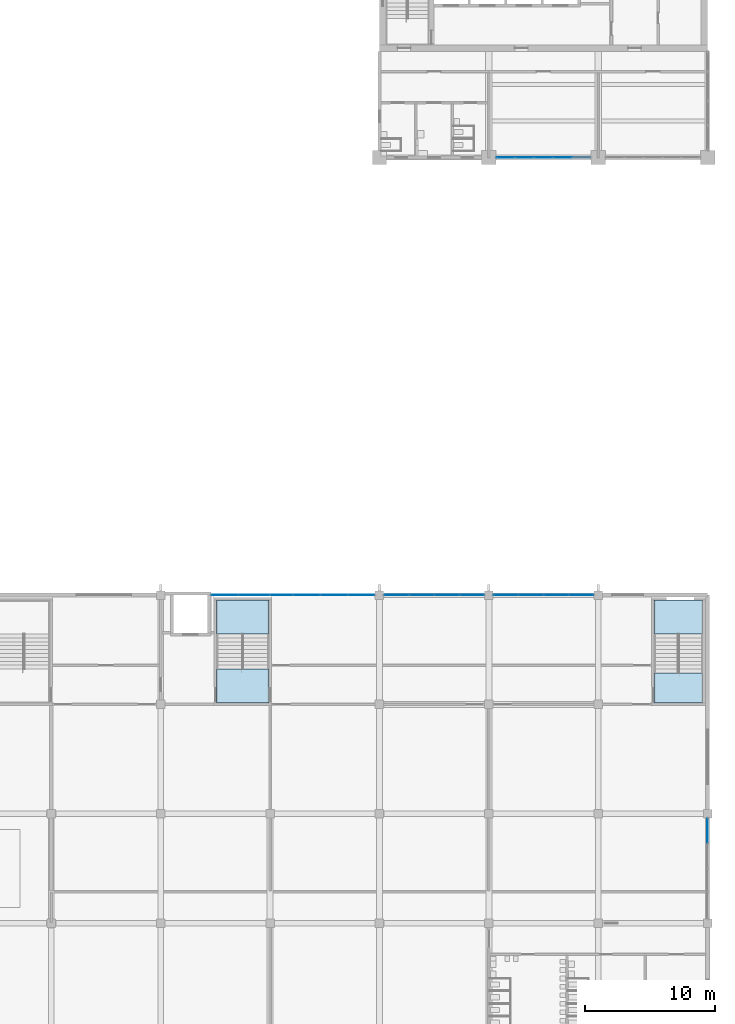
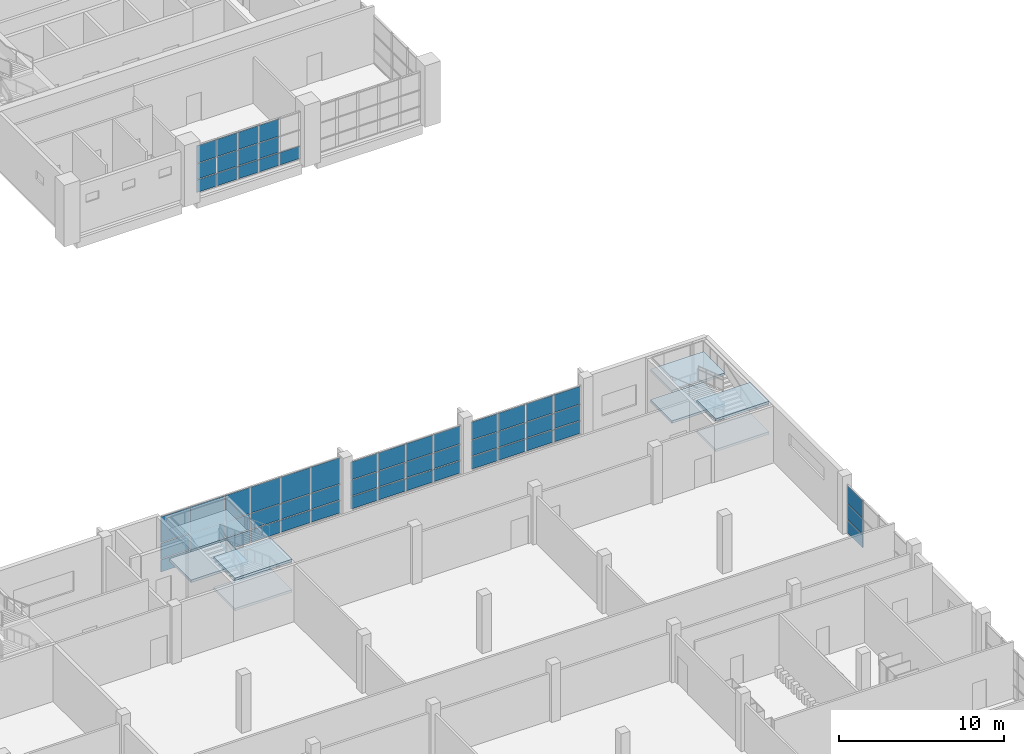
# One storey, part 19 of 64: 58 plates, 8 slabs, 7 elements without a shape of their own.
"""IFC4 building model written with IfcOpenShell, lengths in metres."""

from ifc_helpers import new_model, si_unit, direction, frame, origin, origin_2d, place, context, subcontext, project, spatial, polyline, rectangle, outline, extrude, material, layer, layer_set, type_object, element, aggregate, save


model = new_model("IFC4")

# Units and contexts
model_context = context("Model", 3, precision=1e-05, world=origin(), true_north=direction((0.0, 1.0)))
body_context = subcontext(model_context, "Body", "Model", "MODEL_VIEW")
ifc_project = project(units=[si_unit("LENGTHUNIT", "METRE"), si_unit("AREAUNIT", "SQUARE_METRE"), si_unit("VOLUMEUNIT", "CUBIC_METRE"), si_unit("PLANEANGLEUNIT", "RADIAN"), si_unit("MASSUNIT", "GRAM", prefix="KILO")], contexts=[model_context])

# Site, building, storey
site_placement = place(None, origin())
site = spatial("IfcSite", under=ifc_project, at=site_placement, CompositionType="ELEMENT")
building_placement = place(site_placement, origin())
building = spatial("IfcBuilding", under=site, at=building_placement, Name="Rulbaag Community and Learning Centre", CompositionType="ELEMENT")
storey_placement = place(building_placement, frame((0.0, 0.0, 5.39990234375)))
storey = spatial("IfcBuildingStorey", under=building, at=storey_placement, Name="L01", CompositionType="ELEMENT", Elevation=5.39990234375)

# Curtain wall, plates
ifc_material_1 = material(Name="Aluminium", Category="aluminium")
ifc_layer_1 = layer(ifc_material_1, 0.14990234375)
ifc_layer_set_1 = layer_set([ifc_layer_1], Name="CW-L")
curtain_wall_type_1 = type_object("IfcCurtainWallType", Name="CW-L", PredefinedType="USERDEFINED", material=ifc_layer_set_1)
curtain_wall_1_placement = place(storey_placement, origin())
curtain_wall_1 = element("IfcCurtainWall", 1, at=curtain_wall_1_placement, inside=storey, type_object=curtain_wall_type_1, Name="GL-L01-05", ObjectType="STICK CURTAIN WALL", PredefinedType="USERDEFINED")
ifc_layer_2 = layer(ifc_material_1, 0.050048828125)
ifc_layer_set_2 = layer_set([ifc_layer_2], Name="CW-L-SPN")
plate_type_1 = type_object("IfcPlateType", Name="CW-L-SPN", PredefinedType="CURTAIN_PANEL", material=ifc_layer_set_2)
plate_1_placement = place(storey_placement, frame((130.918212890625, 50.39990234375, 0.06494140625), z_axis=(0.0, 0.0, 1.0), x_axis=(1.0, 0.0, 0.0)))
plate_1 = element("IfcPlate", 2, at=plate_1_placement, type_object=plate_type_1, Name="GL spandrel panel", PredefinedType="CURTAIN_PANEL", context=body_context, shape_type="SweptSolid", body=[
    extrude(rectangle(XDim=2.006591796875, YDim=0.050048828125, at=origin_2d()), origin(), (0.0, 0.0, 1.0), 0.902587890625),
])
plate_2_placement = place(storey_placement, frame((130.918212890625, 50.39990234375, 2.232421875), z_axis=(0.0, 0.0, 1.0), x_axis=(1.0, 0.0, 0.0)))
plate_2 = element("IfcPlate", 3, at=plate_2_placement, type_object=plate_type_1, Name="GL spandrel panel", PredefinedType="CURTAIN_PANEL", context=body_context, shape_type="SweptSolid", body=[
    extrude(rectangle(XDim=2.006591796875, YDim=0.050048828125, at=origin_2d()), origin(), (0.0, 0.0, 1.0), 1.902587890625),
])
plate_3_placement = place(storey_placement, frame((133.177001953125, 50.39990234375, 0.06494140625), z_axis=(0.0, 0.0, 1.0), x_axis=(1.0, 0.0, 0.0)))
plate_3 = element("IfcPlate", 4, at=plate_3_placement, type_object=plate_type_1, Name="GL spandrel panel", PredefinedType="CURTAIN_PANEL", context=body_context, shape_type="SweptSolid", body=[
    extrude(rectangle(XDim=2.380859375, YDim=0.050048828125, at=origin_2d()), origin(), (0.0, 0.0, 1.0), 0.902587890625),
])
plate_4_placement = place(storey_placement, frame((133.177001953125, 50.39990234375, 2.232421875), z_axis=(0.0, 0.0, 1.0), x_axis=(1.0, 0.0, 0.0)))
plate_4 = element("IfcPlate", 5, at=plate_4_placement, type_object=plate_type_1, Name="GL spandrel panel", PredefinedType="CURTAIN_PANEL", context=body_context, shape_type="SweptSolid", body=[
    extrude(rectangle(XDim=2.380859375, YDim=0.050048828125, at=origin_2d()), origin(), (0.0, 0.0, 1.0), 1.902587890625),
])
plate_5_placement = place(storey_placement, frame((135.28125, 50.39990234375, 0.06494140625), z_axis=(0.0, 0.0, 1.0), x_axis=(1.0, 0.0, 0.0)))
plate_5 = element("IfcPlate", 6, at=plate_5_placement, type_object=plate_type_1, Name="GL spandrel panel", PredefinedType="CURTAIN_PANEL", context=body_context, shape_type="SweptSolid", body=[
    extrude(rectangle(XDim=1.697509765625, YDim=0.050048828125, at=origin_2d()), origin(), (0.0, 0.0, 1.0), 0.902587890625),
])
plate_6_placement = place(storey_placement, frame((135.28125, 50.39990234375, 2.232421875), z_axis=(0.0, 0.0, 1.0), x_axis=(1.0, 0.0, 0.0)))
plate_6 = element("IfcPlate", 7, at=plate_6_placement, type_object=plate_type_1, Name="GL spandrel panel", PredefinedType="CURTAIN_PANEL", context=body_context, shape_type="SweptSolid", body=[
    extrude(rectangle(XDim=1.697509765625, YDim=0.050048828125, at=origin_2d()), origin(), (0.0, 0.0, 1.0), 1.902587890625),
])
plate_7_placement = place(storey_placement, frame((137.214599609375, 50.39990234375, 0.06494140625), z_axis=(0.0, 0.0, 1.0), x_axis=(1.0, 0.0, 0.0)))
plate_7 = element("IfcPlate", 8, at=plate_7_placement, type_object=plate_type_1, Name="GL spandrel panel", PredefinedType="CURTAIN_PANEL", context=body_context, shape_type="SweptSolid", body=[
    extrude(rectangle(XDim=2.0390625, YDim=0.050048828125, at=origin_2d()), origin(), (0.0, 0.0, 1.0), 0.902587890625),
])
plate_8_placement = place(storey_placement, frame((137.214599609375, 50.39990234375, 2.232421875), z_axis=(0.0, 0.0, 1.0), x_axis=(1.0, 0.0, 0.0)))
plate_8 = element("IfcPlate", 9, at=plate_8_placement, type_object=plate_type_1, Name="GL spandrel panel", PredefinedType="CURTAIN_PANEL", context=body_context, shape_type="SweptSolid", body=[
    extrude(rectangle(XDim=2.0390625, YDim=0.050048828125, at=origin_2d()), origin(), (0.0, 0.0, 1.0), 1.902587890625),
])
plate_9_placement = place(storey_placement, frame((139.31884765625, 50.39990234375, 0.06494140625), z_axis=(0.0, 0.0, 1.0), x_axis=(1.0, 0.0, 0.0)))
plate_9 = element("IfcPlate", 10, at=plate_9_placement, type_object=plate_type_1, Name="GL spandrel panel", PredefinedType="CURTAIN_PANEL", context=body_context, shape_type="SweptSolid", body=[
    extrude(rectangle(XDim=2.0390625, YDim=0.050048828125, at=origin_2d()), origin(), (0.0, 0.0, 1.0), 0.902587890625),
])
plate_10_placement = place(storey_placement, frame((139.31884765625, 50.39990234375, 2.232421875), z_axis=(0.0, 0.0, 1.0), x_axis=(1.0, 0.0, 0.0)))
plate_10 = element("IfcPlate", 11, at=plate_10_placement, type_object=plate_type_1, Name="GL spandrel panel", PredefinedType="CURTAIN_PANEL", context=body_context, shape_type="SweptSolid", body=[
    extrude(rectangle(XDim=2.0390625, YDim=0.050048828125, at=origin_2d()), origin(), (0.0, 0.0, 1.0), 1.902587890625),
])
plate_11_placement = place(storey_placement, frame((141.40673828125, 50.39990234375, 0.06494140625), z_axis=(0.0, 0.0, 1.0), x_axis=(1.0, 0.0, 0.0)))
plate_11 = element("IfcPlate", 12, at=plate_11_placement, type_object=plate_type_1, Name="GL spandrel panel", PredefinedType="CURTAIN_PANEL", context=body_context, shape_type="SweptSolid", body=[
    extrude(rectangle(XDim=2.006591796875, YDim=0.050048828125, at=origin_2d()), origin(), (0.0, 0.0, 1.0), 0.902587890625),
])
plate_12_placement = place(storey_placement, frame((141.40673828125, 50.39990234375, 2.232421875), z_axis=(0.0, 0.0, 1.0), x_axis=(1.0, 0.0, 0.0)))
plate_12 = element("IfcPlate", 13, at=plate_12_placement, type_object=plate_type_1, Name="GL spandrel panel", PredefinedType="CURTAIN_PANEL", context=body_context, shape_type="SweptSolid", body=[
    extrude(rectangle(XDim=2.006591796875, YDim=0.050048828125, at=origin_2d()), origin(), (0.0, 0.0, 1.0), 1.902587890625),
])

curtain_wall_2_placement = place(storey_placement, origin())
curtain_wall_2 = element("IfcCurtainWall", 14, at=curtain_wall_2_placement, inside=storey, type_object=curtain_wall_type_1, Name="GL-L01-06", ObjectType="STICK CURTAIN WALL", PredefinedType="USERDEFINED")
plate_13_placement = place(storey_placement, frame((144.110107421875, 50.39990234375, 0.06494140625), z_axis=(0.0, 0.0, 1.0), x_axis=(1.0, 0.0, 0.0)))
plate_13 = element("IfcPlate", 15, at=plate_13_placement, type_object=plate_type_1, Name="GL spandrel panel", PredefinedType="CURTAIN_PANEL", context=body_context, shape_type="SweptSolid", body=[
    extrude(rectangle(XDim=1.840087890625, YDim=0.050048828125, at=origin_2d()), origin(), (0.0, 0.0, 1.0), 0.902587890625),
])
plate_14_placement = place(storey_placement, frame((144.110107421875, 50.39990234375, 2.232421875), z_axis=(0.0, 0.0, 1.0), x_axis=(1.0, 0.0, 0.0)))
plate_14 = element("IfcPlate", 16, at=plate_14_placement, type_object=plate_type_1, Name="GL spandrel panel", PredefinedType="CURTAIN_PANEL", context=body_context, shape_type="SweptSolid", body=[
    extrude(rectangle(XDim=1.840087890625, YDim=0.050048828125, at=origin_2d()), origin(), (0.0, 0.0, 1.0), 1.302490234375),
])
plate_15_placement = place(storey_placement, frame((146.03125, 50.39990234375, 0.06494140625), z_axis=(0.0, 0.0, 1.0), x_axis=(1.0, 0.0, 0.0)))
plate_15 = element("IfcPlate", 17, at=plate_15_placement, type_object=plate_type_1, Name="GL spandrel panel", PredefinedType="CURTAIN_PANEL", context=body_context, shape_type="SweptSolid", body=[
    extrude(rectangle(XDim=1.87255859375, YDim=0.050048828125, at=origin_2d()), origin(), (0.0, 0.0, 1.0), 0.902587890625),
])
plate_16_placement = place(storey_placement, frame((146.03125, 50.39990234375, 2.232421875), z_axis=(0.0, 0.0, 1.0), x_axis=(1.0, 0.0, 0.0)))
plate_16 = element("IfcPlate", 18, at=plate_16_placement, type_object=plate_type_1, Name="GL spandrel panel", PredefinedType="CURTAIN_PANEL", context=body_context, shape_type="SweptSolid", body=[
    extrude(rectangle(XDim=1.87255859375, YDim=0.050048828125, at=origin_2d()), origin(), (0.0, 0.0, 1.0), 1.302490234375),
])
plate_17_placement = place(storey_placement, frame((147.96875, 50.39990234375, 0.06494140625), z_axis=(0.0, 0.0, 1.0), x_axis=(1.0, 0.0, 0.0)))
plate_17 = element("IfcPlate", 19, at=plate_17_placement, type_object=plate_type_1, Name="GL spandrel panel", PredefinedType="CURTAIN_PANEL", context=body_context, shape_type="SweptSolid", body=[
    extrude(rectangle(XDim=1.87255859375, YDim=0.050048828125, at=origin_2d()), origin(), (0.0, 0.0, 1.0), 0.902587890625),
])
plate_18_placement = place(storey_placement, frame((147.96875, 50.39990234375, 2.232421875), z_axis=(0.0, 0.0, 1.0), x_axis=(1.0, 0.0, 0.0)))
plate_18 = element("IfcPlate", 20, at=plate_18_placement, type_object=plate_type_1, Name="GL spandrel panel", PredefinedType="CURTAIN_PANEL", context=body_context, shape_type="SweptSolid", body=[
    extrude(rectangle(XDim=1.87255859375, YDim=0.050048828125, at=origin_2d()), origin(), (0.0, 0.0, 1.0), 1.302490234375),
])
plate_19_placement = place(storey_placement, frame((149.889892578125, 50.39990234375, 0.06494140625), z_axis=(0.0, 0.0, 1.0), x_axis=(1.0, 0.0, 0.0)))
plate_19 = element("IfcPlate", 21, at=plate_19_placement, type_object=plate_type_1, Name="GL spandrel panel", PredefinedType="CURTAIN_PANEL", context=body_context, shape_type="SweptSolid", body=[
    extrude(rectangle(XDim=1.840087890625, YDim=0.050048828125, at=origin_2d()), origin(), (0.0, 0.0, 1.0), 0.902587890625),
])
plate_20_placement = place(storey_placement, frame((149.889892578125, 50.39990234375, 2.232421875), z_axis=(0.0, 0.0, 1.0), x_axis=(1.0, 0.0, 0.0)))
plate_20 = element("IfcPlate", 22, at=plate_20_placement, type_object=plate_type_1, Name="GL spandrel panel", PredefinedType="CURTAIN_PANEL", context=body_context, shape_type="SweptSolid", body=[
    extrude(rectangle(XDim=1.840087890625, YDim=0.050048828125, at=origin_2d()), origin(), (0.0, 0.0, 1.0), 1.302490234375),
])

curtain_wall_3_placement = place(storey_placement, origin())
curtain_wall_3 = element("IfcCurtainWall", 23, at=curtain_wall_3_placement, inside=storey, type_object=curtain_wall_type_1, Name="GL-L01-07", ObjectType="STICK CURTAIN WALL", PredefinedType="USERDEFINED")
plate_21_placement = place(storey_placement, frame((152.510009765625, 50.39990234375, 0.06494140625), z_axis=(0.0, 0.0, 1.0), x_axis=(1.0, 0.0, 0.0)))
plate_21 = element("IfcPlate", 24, at=plate_21_placement, type_object=plate_type_1, Name="GL spandrel panel", PredefinedType="CURTAIN_PANEL", context=body_context, shape_type="SweptSolid", body=[
    extrude(rectangle(XDim=1.840087890625, YDim=0.050048828125, at=origin_2d()), origin(), (0.0, 0.0, 1.0), 0.902587890625),
])
plate_22_placement = place(storey_placement, frame((152.510009765625, 50.39990234375, 2.232421875), z_axis=(0.0, 0.0, 1.0), x_axis=(1.0, 0.0, 0.0)))
plate_22 = element("IfcPlate", 25, at=plate_22_placement, type_object=plate_type_1, Name="GL spandrel panel", PredefinedType="CURTAIN_PANEL", context=body_context, shape_type="SweptSolid", body=[
    extrude(rectangle(XDim=1.840087890625, YDim=0.050048828125, at=origin_2d()), origin(), (0.0, 0.0, 1.0), 1.302490234375),
])
plate_23_placement = place(storey_placement, frame((154.43115234375, 50.39990234375, 0.06494140625), z_axis=(0.0, 0.0, 1.0), x_axis=(1.0, 0.0, 0.0)))
plate_23 = element("IfcPlate", 26, at=plate_23_placement, type_object=plate_type_1, Name="GL spandrel panel", PredefinedType="CURTAIN_PANEL", context=body_context, shape_type="SweptSolid", body=[
    extrude(rectangle(XDim=1.87255859375, YDim=0.050048828125, at=origin_2d()), origin(), (0.0, 0.0, 1.0), 0.902587890625),
])
plate_24_placement = place(storey_placement, frame((154.43115234375, 50.39990234375, 2.232421875), z_axis=(0.0, 0.0, 1.0), x_axis=(1.0, 0.0, 0.0)))
plate_24 = element("IfcPlate", 27, at=plate_24_placement, type_object=plate_type_1, Name="GL spandrel panel", PredefinedType="CURTAIN_PANEL", context=body_context, shape_type="SweptSolid", body=[
    extrude(rectangle(XDim=1.87255859375, YDim=0.050048828125, at=origin_2d()), origin(), (0.0, 0.0, 1.0), 1.302490234375),
])
plate_25_placement = place(storey_placement, frame((156.36865234375, 50.39990234375, 0.06494140625), z_axis=(0.0, 0.0, 1.0), x_axis=(1.0, 0.0, 0.0)))
plate_25 = element("IfcPlate", 28, at=plate_25_placement, type_object=plate_type_1, Name="GL spandrel panel", PredefinedType="CURTAIN_PANEL", context=body_context, shape_type="SweptSolid", body=[
    extrude(rectangle(XDim=1.87255859375, YDim=0.050048828125, at=origin_2d()), origin(), (0.0, 0.0, 1.0), 0.902587890625),
])
plate_26_placement = place(storey_placement, frame((156.36865234375, 50.39990234375, 2.232421875), z_axis=(0.0, 0.0, 1.0), x_axis=(1.0, 0.0, 0.0)))
plate_26 = element("IfcPlate", 29, at=plate_26_placement, type_object=plate_type_1, Name="GL spandrel panel", PredefinedType="CURTAIN_PANEL", context=body_context, shape_type="SweptSolid", body=[
    extrude(rectangle(XDim=1.87255859375, YDim=0.050048828125, at=origin_2d()), origin(), (0.0, 0.0, 1.0), 1.302490234375),
])
plate_27_placement = place(storey_placement, frame((158.2900390625, 50.39990234375, 0.06494140625), z_axis=(0.0, 0.0, 1.0), x_axis=(1.0, 0.0, 0.0)))
plate_27 = element("IfcPlate", 30, at=plate_27_placement, type_object=plate_type_1, Name="GL spandrel panel", PredefinedType="CURTAIN_PANEL", context=body_context, shape_type="SweptSolid", body=[
    extrude(rectangle(XDim=1.840087890625, YDim=0.050048828125, at=origin_2d()), origin(), (0.0, 0.0, 1.0), 0.902587890625),
])
plate_28_placement = place(storey_placement, frame((158.2900390625, 50.39990234375, 2.232421875), z_axis=(0.0, 0.0, 1.0), x_axis=(1.0, 0.0, 0.0)))
plate_28 = element("IfcPlate", 31, at=plate_28_placement, type_object=plate_type_1, Name="GL spandrel panel", PredefinedType="CURTAIN_PANEL", context=body_context, shape_type="SweptSolid", body=[
    extrude(rectangle(XDim=1.840087890625, YDim=0.050048828125, at=origin_2d()), origin(), (0.0, 0.0, 1.0), 1.302490234375),
])

curtain_wall_4_placement = place(storey_placement, origin())
curtain_wall_4 = element("IfcCurtainWall", 32, at=curtain_wall_4_placement, inside=storey, type_object=curtain_wall_type_1, Name="GL-L01-09", ObjectType="STICK CURTAIN WALL", PredefinedType="USERDEFINED")
plate_29_placement = place(storey_placement, frame((168.0, 32.2900390625, 0.06494140625), z_axis=(0.0, 0.0, 1.0), x_axis=(0.0, 1.0, 0.0)))
plate_29 = element("IfcPlate", 33, at=plate_29_placement, type_object=plate_type_1, Name="GL spandrel panel", PredefinedType="CURTAIN_PANEL", context=body_context, shape_type="SweptSolid", body=[
    extrude(rectangle(XDim=1.840087890625, YDim=0.050048828125, at=origin_2d()), origin(), (0.0, 0.0, 1.0), 0.902587890625),
])
plate_30_placement = place(storey_placement, frame((168.0, 32.2900390625, 2.232421875), z_axis=(0.0, 0.0, 1.0), x_axis=(0.0, 1.0, 0.0)))
plate_30 = element("IfcPlate", 34, at=plate_30_placement, type_object=plate_type_1, Name="GL spandrel panel", PredefinedType="CURTAIN_PANEL", context=body_context, shape_type="SweptSolid", body=[
    extrude(rectangle(XDim=1.840087890625, YDim=0.050048828125, at=origin_2d()), origin(), (0.0, 0.0, 1.0), 1.302490234375),
])

# Plate
ifc_material_2 = material(Name="Glass", Category="glass")
ifc_layer_3 = layer(ifc_material_2, 0.031982421875)
ifc_layer_set_3 = layer_set([ifc_layer_3], Name="CW-L-VIS")
plate_type_2 = type_object("IfcPlateType", Name="CW-L-VIS", PredefinedType="CURTAIN_PANEL", material=ifc_layer_set_3)
plate_31_placement = place(storey_placement, frame((130.918212890625, 50.39990234375, 1.03271484375), z_axis=(0.0, 0.0, 1.0), x_axis=(1.0, 0.0, 0.0)))
plate_31 = element("IfcPlate", 35, at=plate_31_placement, type_object=plate_type_2, Name="GL vision panel", PredefinedType="CURTAIN_PANEL", context=body_context, shape_type="SweptSolid", body=[
    extrude(rectangle(XDim=2.006591796875, YDim=0.031982421875, at=origin_2d()), origin(), (0.0, 0.0, 1.0), 1.135009765625),
])

plate_32_placement = place(storey_placement, frame((133.177001953125, 50.39990234375, 1.03271484375), z_axis=(0.0, 0.0, 1.0), x_axis=(1.0, 0.0, 0.0)))
plate_32 = element("IfcPlate", 36, at=plate_32_placement, type_object=plate_type_2, Name="GL vision panel", PredefinedType="CURTAIN_PANEL", context=body_context, shape_type="SweptSolid", body=[
    extrude(rectangle(XDim=2.380859375, YDim=0.031982421875, at=origin_2d()), origin(), (0.0, 0.0, 1.0), 1.135009765625),
])

plate_33_placement = place(storey_placement, frame((135.28125, 50.39990234375, 1.03271484375), z_axis=(0.0, 0.0, 1.0), x_axis=(1.0, 0.0, 0.0)))
plate_33 = element("IfcPlate", 37, at=plate_33_placement, type_object=plate_type_2, Name="GL vision panel", PredefinedType="CURTAIN_PANEL", context=body_context, shape_type="SweptSolid", body=[
    extrude(rectangle(XDim=1.697509765625, YDim=0.031982421875, at=origin_2d()), origin(), (0.0, 0.0, 1.0), 1.135009765625),
])

plate_34_placement = place(storey_placement, frame((137.214599609375, 50.39990234375, 1.03271484375), z_axis=(0.0, 0.0, 1.0), x_axis=(1.0, 0.0, 0.0)))
plate_34 = element("IfcPlate", 38, at=plate_34_placement, type_object=plate_type_2, Name="GL vision panel", PredefinedType="CURTAIN_PANEL", context=body_context, shape_type="SweptSolid", body=[
    extrude(rectangle(XDim=2.0390625, YDim=0.031982421875, at=origin_2d()), origin(), (0.0, 0.0, 1.0), 1.135009765625),
])

plate_35_placement = place(storey_placement, frame((139.31884765625, 50.39990234375, 1.03271484375), z_axis=(0.0, 0.0, 1.0), x_axis=(1.0, 0.0, 0.0)))
plate_35 = element("IfcPlate", 39, at=plate_35_placement, type_object=plate_type_2, Name="GL vision panel", PredefinedType="CURTAIN_PANEL", context=body_context, shape_type="SweptSolid", body=[
    extrude(rectangle(XDim=2.0390625, YDim=0.031982421875, at=origin_2d()), origin(), (0.0, 0.0, 1.0), 1.135009765625),
])

plate_36_placement = place(storey_placement, frame((141.40673828125, 50.39990234375, 1.03271484375), z_axis=(0.0, 0.0, 1.0), x_axis=(1.0, 0.0, 0.0)))
plate_36 = element("IfcPlate", 40, at=plate_36_placement, type_object=plate_type_2, Name="GL vision panel", PredefinedType="CURTAIN_PANEL", context=body_context, shape_type="SweptSolid", body=[
    extrude(rectangle(XDim=2.006591796875, YDim=0.031982421875, at=origin_2d()), origin(), (0.0, 0.0, 1.0), 1.135009765625),
])

aggregate(curtain_wall_1, [plate_1, plate_31, plate_2, plate_3, plate_32, plate_4, plate_5, plate_33, plate_6, plate_7, plate_34, plate_8, plate_9, plate_35, plate_10, plate_11, plate_36, plate_12])

plate_37_placement = place(storey_placement, frame((144.110107421875, 50.39990234375, 1.03271484375), z_axis=(0.0, 0.0, 1.0), x_axis=(1.0, 0.0, 0.0)))
plate_37 = element("IfcPlate", 41, at=plate_37_placement, type_object=plate_type_2, Name="GL vision panel", PredefinedType="CURTAIN_PANEL", context=body_context, shape_type="SweptSolid", body=[
    extrude(rectangle(XDim=1.840087890625, YDim=0.031982421875, at=origin_2d()), origin(), (0.0, 0.0, 1.0), 1.135009765625),
])

plate_38_placement = place(storey_placement, frame((146.03125, 50.39990234375, 1.03271484375), z_axis=(0.0, 0.0, 1.0), x_axis=(1.0, 0.0, 0.0)))
plate_38 = element("IfcPlate", 42, at=plate_38_placement, type_object=plate_type_2, Name="GL vision panel", PredefinedType="CURTAIN_PANEL", context=body_context, shape_type="SweptSolid", body=[
    extrude(rectangle(XDim=1.87255859375, YDim=0.031982421875, at=origin_2d()), origin(), (0.0, 0.0, 1.0), 1.135009765625),
])

plate_39_placement = place(storey_placement, frame((147.96875, 50.39990234375, 1.03271484375), z_axis=(0.0, 0.0, 1.0), x_axis=(1.0, 0.0, 0.0)))
plate_39 = element("IfcPlate", 43, at=plate_39_placement, type_object=plate_type_2, Name="GL vision panel", PredefinedType="CURTAIN_PANEL", context=body_context, shape_type="SweptSolid", body=[
    extrude(rectangle(XDim=1.87255859375, YDim=0.031982421875, at=origin_2d()), origin(), (0.0, 0.0, 1.0), 1.135009765625),
])

plate_40_placement = place(storey_placement, frame((149.889892578125, 50.39990234375, 1.03271484375), z_axis=(0.0, 0.0, 1.0), x_axis=(1.0, 0.0, 0.0)))
plate_40 = element("IfcPlate", 44, at=plate_40_placement, type_object=plate_type_2, Name="GL vision panel", PredefinedType="CURTAIN_PANEL", context=body_context, shape_type="SweptSolid", body=[
    extrude(rectangle(XDim=1.840087890625, YDim=0.031982421875, at=origin_2d()), origin(), (0.0, 0.0, 1.0), 1.135009765625),
])

aggregate(curtain_wall_2, [plate_13, plate_37, plate_14, plate_15, plate_38, plate_16, plate_17, plate_39, plate_18, plate_19, plate_40, plate_20])

plate_41_placement = place(storey_placement, frame((152.510009765625, 50.39990234375, 1.03271484375), z_axis=(0.0, 0.0, 1.0), x_axis=(1.0, 0.0, 0.0)))
plate_41 = element("IfcPlate", 45, at=plate_41_placement, type_object=plate_type_2, Name="GL vision panel", PredefinedType="CURTAIN_PANEL", context=body_context, shape_type="SweptSolid", body=[
    extrude(rectangle(XDim=1.840087890625, YDim=0.031982421875, at=origin_2d()), origin(), (0.0, 0.0, 1.0), 1.135009765625),
])

plate_42_placement = place(storey_placement, frame((154.43115234375, 50.39990234375, 1.03271484375), z_axis=(0.0, 0.0, 1.0), x_axis=(1.0, 0.0, 0.0)))
plate_42 = element("IfcPlate", 46, at=plate_42_placement, type_object=plate_type_2, Name="GL vision panel", PredefinedType="CURTAIN_PANEL", context=body_context, shape_type="SweptSolid", body=[
    extrude(rectangle(XDim=1.87255859375, YDim=0.031982421875, at=origin_2d()), origin(), (0.0, 0.0, 1.0), 1.135009765625),
])

plate_43_placement = place(storey_placement, frame((156.36865234375, 50.39990234375, 1.03271484375), z_axis=(0.0, 0.0, 1.0), x_axis=(1.0, 0.0, 0.0)))
plate_43 = element("IfcPlate", 47, at=plate_43_placement, type_object=plate_type_2, Name="GL vision panel", PredefinedType="CURTAIN_PANEL", context=body_context, shape_type="SweptSolid", body=[
    extrude(rectangle(XDim=1.87255859375, YDim=0.031982421875, at=origin_2d()), origin(), (0.0, 0.0, 1.0), 1.135009765625),
])

plate_44_placement = place(storey_placement, frame((158.2900390625, 50.39990234375, 1.03271484375), z_axis=(0.0, 0.0, 1.0), x_axis=(1.0, 0.0, 0.0)))
plate_44 = element("IfcPlate", 48, at=plate_44_placement, type_object=plate_type_2, Name="GL vision panel", PredefinedType="CURTAIN_PANEL", context=body_context, shape_type="SweptSolid", body=[
    extrude(rectangle(XDim=1.840087890625, YDim=0.031982421875, at=origin_2d()), origin(), (0.0, 0.0, 1.0), 1.135009765625),
])

aggregate(curtain_wall_3, [plate_21, plate_41, plate_22, plate_23, plate_42, plate_24, plate_25, plate_43, plate_26, plate_27, plate_44, plate_28])

plate_45_placement = place(storey_placement, frame((168.0, 32.2900390625, 1.03271484375), z_axis=(0.0, 0.0, 1.0), x_axis=(0.0, 1.0, 0.0)))
plate_45 = element("IfcPlate", 49, at=plate_45_placement, type_object=plate_type_2, Name="GL vision panel", PredefinedType="CURTAIN_PANEL", context=body_context, shape_type="SweptSolid", body=[
    extrude(rectangle(XDim=1.840087890625, YDim=0.031982421875, at=origin_2d()), origin(), (0.0, 0.0, 1.0), 1.135009765625),
])

aggregate(curtain_wall_4, [plate_29, plate_45, plate_30])

# Curtain wall, plates
ifc_layer_4 = layer(ifc_material_1, 0.14990234375)
ifc_layer_set_4 = layer_set([ifc_layer_4], Name="CW-S")
curtain_wall_type_2 = type_object("IfcCurtainWallType", Name="CW-S", PredefinedType="USERDEFINED", material=ifc_layer_set_4)
curtain_wall_5_placement = place(storey_placement, origin())
curtain_wall_5 = element("IfcCurtainWall", 50, at=curtain_wall_5_placement, inside=storey, type_object=curtain_wall_type_2, Name="GS-L01-01", ObjectType="UNITISED CURTAIN WALL", PredefinedType="USERDEFINED")
ifc_layer_5 = layer(ifc_material_1, 0.054931640625)
ifc_layer_set_5 = layer_set([ifc_layer_5], Name="CW-S-SPN")
plate_type_3 = type_object("IfcPlateType", Name="CW-S-SPN", PredefinedType="CURTAIN_PANEL", material=ifc_layer_set_5)
plate_46_placement = place(storey_placement, frame((152.4951171875, 84.0, 0.06005859375), z_axis=(0.0, 0.0, 1.0), x_axis=(1.0, 0.0, 0.0)))
plate_46 = element("IfcPlate", 51, at=plate_46_placement, type_object=plate_type_3, Name="GS spandrel panel", PredefinedType="CURTAIN_PANEL", context=body_context, shape_type="SweptSolid", body=[
    extrude(rectangle(XDim=1.3701171875, YDim=0.054931640625, at=origin_2d()), origin(), (0.0, 0.0, 1.0), 0.909912109375),
])
plate_47_placement = place(storey_placement, frame((152.4951171875, 84.0, 2.22998046875), z_axis=(0.0, 0.0, 1.0), x_axis=(1.0, 0.0, 0.0)))
plate_47 = element("IfcPlate", 52, at=plate_47_placement, type_object=plate_type_3, Name="GS spandrel panel", PredefinedType="CURTAIN_PANEL", context=body_context, shape_type="SweptSolid", body=[
    extrude(rectangle(XDim=1.3701171875, YDim=0.054931640625, at=origin_2d()), origin(), (0.0, 0.0, 1.0), 1.260009765625),
])
plate_48_placement = place(storey_placement, frame((153.93994140625, 84.0, 0.06005859375), z_axis=(0.0, 0.0, 1.0), x_axis=(1.0, 0.0, 0.0)))
plate_48 = element("IfcPlate", 53, at=plate_48_placement, type_object=plate_type_3, Name="GS spandrel panel", PredefinedType="CURTAIN_PANEL", context=body_context, shape_type="SweptSolid", body=[
    extrude(rectangle(XDim=1.39990234375, YDim=0.054931640625, at=origin_2d()), origin(), (0.0, 0.0, 1.0), 0.909912109375),
])
plate_49_placement = place(storey_placement, frame((153.93994140625, 84.0, 2.22998046875), z_axis=(0.0, 0.0, 1.0), x_axis=(1.0, 0.0, 0.0)))
plate_49 = element("IfcPlate", 54, at=plate_49_placement, type_object=plate_type_3, Name="GS spandrel panel", PredefinedType="CURTAIN_PANEL", context=body_context, shape_type="SweptSolid", body=[
    extrude(rectangle(XDim=1.39990234375, YDim=0.054931640625, at=origin_2d()), origin(), (0.0, 0.0, 1.0), 1.260009765625),
])
plate_50_placement = place(storey_placement, frame((155.39990234375, 84.0, 0.06005859375), z_axis=(0.0, 0.0, 1.0), x_axis=(1.0, 0.0, 0.0)))
plate_50 = element("IfcPlate", 55, at=plate_50_placement, type_object=plate_type_3, Name="GS spandrel panel", PredefinedType="CURTAIN_PANEL", context=body_context, shape_type="SweptSolid", body=[
    extrude(rectangle(XDim=1.39990234375, YDim=0.054931640625, at=origin_2d()), origin(), (0.0, 0.0, 1.0), 0.909912109375),
])
plate_51_placement = place(storey_placement, frame((155.39990234375, 84.0, 2.22998046875), z_axis=(0.0, 0.0, 1.0), x_axis=(1.0, 0.0, 0.0)))
plate_51 = element("IfcPlate", 56, at=plate_51_placement, type_object=plate_type_3, Name="GS spandrel panel", PredefinedType="CURTAIN_PANEL", context=body_context, shape_type="SweptSolid", body=[
    extrude(rectangle(XDim=1.39990234375, YDim=0.054931640625, at=origin_2d()), origin(), (0.0, 0.0, 1.0), 1.260009765625),
])
plate_52_placement = place(storey_placement, frame((156.860107421875, 84.0, 0.06005859375), z_axis=(0.0, 0.0, 1.0), x_axis=(1.0, 0.0, 0.0)))
plate_52 = element("IfcPlate", 57, at=plate_52_placement, type_object=plate_type_3, Name="GS spandrel panel", PredefinedType="CURTAIN_PANEL", context=body_context, shape_type="SweptSolid", body=[
    extrude(rectangle(XDim=1.39990234375, YDim=0.054931640625, at=origin_2d()), origin(), (0.0, 0.0, 1.0), 0.909912109375),
])
plate_53_placement = place(storey_placement, frame((156.860107421875, 84.0, 2.22998046875), z_axis=(0.0, 0.0, 1.0), x_axis=(1.0, 0.0, 0.0)))
plate_53 = element("IfcPlate", 58, at=plate_53_placement, type_object=plate_type_3, Name="GS spandrel panel", PredefinedType="CURTAIN_PANEL", context=body_context, shape_type="SweptSolid", body=[
    extrude(rectangle(XDim=1.39990234375, YDim=0.054931640625, at=origin_2d()), origin(), (0.0, 0.0, 1.0), 1.260009765625),
])
plate_54_placement = place(storey_placement, frame((158.304931640625, 84.0, 0.06005859375), z_axis=(0.0, 0.0, 1.0), x_axis=(1.0, 0.0, 0.0)))
plate_54 = element("IfcPlate", 59, at=plate_54_placement, type_object=plate_type_3, Name="GS spandrel panel", PredefinedType="CURTAIN_PANEL", context=body_context, shape_type="SweptSolid", body=[
    extrude(rectangle(XDim=1.3701171875, YDim=0.054931640625, at=origin_2d()), origin(), (0.0, 0.0, 1.0), 0.909912109375),
])
ifc_layer_6 = layer(ifc_material_2, 0.030029296875)
ifc_layer_set_6 = layer_set([ifc_layer_6], Name="CW-S-VIS")
plate_type_4 = type_object("IfcPlateType", Name="CW-S-VIS", PredefinedType="CURTAIN_PANEL", material=ifc_layer_set_6)
plate_55_placement = place(storey_placement, frame((152.4951171875, 84.0, 1.0302734375), z_axis=(0.0, 0.0, 1.0), x_axis=(1.0, 0.0, 0.0)))
plate_55 = element("IfcPlate", 60, at=plate_55_placement, type_object=plate_type_4, Name="GS vision panel", PredefinedType="CURTAIN_PANEL", context=body_context, shape_type="SweptSolid", body=[
    extrude(rectangle(XDim=1.3701171875, YDim=0.030029296875, at=origin_2d()), origin(), (0.0, 0.0, 1.0), 1.139892578125),
])
plate_56_placement = place(storey_placement, frame((153.93994140625, 84.0, 1.0302734375), z_axis=(0.0, 0.0, 1.0), x_axis=(1.0, 0.0, 0.0)))
plate_56 = element("IfcPlate", 61, at=plate_56_placement, type_object=plate_type_4, Name="GS vision panel", PredefinedType="CURTAIN_PANEL", context=body_context, shape_type="SweptSolid", body=[
    extrude(rectangle(XDim=1.39990234375, YDim=0.030029296875, at=origin_2d()), origin(), (0.0, 0.0, 1.0), 1.139892578125),
])
plate_57_placement = place(storey_placement, frame((155.39990234375, 84.0, 1.0302734375), z_axis=(0.0, 0.0, 1.0), x_axis=(1.0, 0.0, 0.0)))
plate_57 = element("IfcPlate", 62, at=plate_57_placement, type_object=plate_type_4, Name="GS vision panel", PredefinedType="CURTAIN_PANEL", context=body_context, shape_type="SweptSolid", body=[
    extrude(rectangle(XDim=1.39990234375, YDim=0.030029296875, at=origin_2d()), origin(), (0.0, 0.0, 1.0), 1.139892578125),
])
plate_58_placement = place(storey_placement, frame((156.860107421875, 84.0, 1.0302734375), z_axis=(0.0, 0.0, 1.0), x_axis=(1.0, 0.0, 0.0)))
plate_58 = element("IfcPlate", 63, at=plate_58_placement, type_object=plate_type_4, Name="GS vision panel", PredefinedType="CURTAIN_PANEL", context=body_context, shape_type="SweptSolid", body=[
    extrude(rectangle(XDim=1.39990234375, YDim=0.030029296875, at=origin_2d()), origin(), (0.0, 0.0, 1.0), 1.139892578125),
])
aggregate(curtain_wall_5, [plate_46, plate_55, plate_47, plate_48, plate_56, plate_49, plate_50, plate_57, plate_51, plate_52, plate_58, plate_53, plate_54])

# Stair, slabs
ifc_material_3 = material(Name="Concrete M40", Category="concrete")
stair_type_1 = type_object("IfcStairType", Name="ST-2000 STAIR 2000 WIDE", PredefinedType="HALF_TURN_STAIR", material=ifc_material_3)
stair_1_placement = place(storey_placement, origin())
stair_1 = element("IfcStair", 64, at=stair_1_placement, inside=storey, type_object=stair_type_1, Name="Stair ST-H3 L01", PredefinedType="HALF_TURN_STAIR")
ifc_layer_7 = layer(ifc_material_3, 0.179931640625)
ifc_layer_set_7 = layer_set([ifc_layer_7], Name="LN-180 LANDING 180 Concrete M40")
slab_type = type_object("IfcSlabType", Name="LN-180 LANDING 180 Concrete M40", PredefinedType="LANDING", material=ifc_layer_set_7)
slab_1_placement = place(storey_placement, frame((0.0, 0.0, 0.945068359375)))
slab_1 = element("IfcSlab", 65, at=slab_1_placement, type_object=slab_type, Name="ST-H3 landing 1", PredefinedType="LANDING", context=body_context, shape_type="SweptSolid", body=[
    extrude(outline(polyline([(130.300048828125, 47.41259765625), (130.300048828125, 50.02490234375), (134.300048828125, 50.02490234375), (134.300048828125, 47.41259765625), (130.300048828125, 47.41259765625)])), origin(), (0.0, 0.0, 1.0), 0.179931640625),
])
slab_2_placement = place(storey_placement, frame((0.0, 0.0, 2.070068359375)))
slab_2 = element("IfcSlab", 66, at=slab_2_placement, type_object=slab_type, Name="ST-H3 landing 2", PredefinedType="LANDING", context=body_context, shape_type="SweptSolid", body=[
    extrude(outline(polyline([(130.300048828125, 42.10009765625), (130.300048828125, 44.71240234375), (134.300048828125, 44.71240234375), (134.300048828125, 42.10009765625), (130.300048828125, 42.10009765625)])), origin(), (0.0, 0.0, 1.0), 0.179931640625),
])
slab_3_placement = place(storey_placement, frame((0.0, 0.0, 3.195068359375)))
slab_3 = element("IfcSlab", 67, at=slab_3_placement, type_object=slab_type, Name="ST-H3 landing 3", PredefinedType="LANDING", context=body_context, shape_type="SweptSolid", body=[
    extrude(outline(polyline([(130.300048828125, 47.41259765625), (130.300048828125, 50.02490234375), (134.300048828125, 50.02490234375), (134.300048828125, 47.41259765625), (130.300048828125, 47.41259765625)])), origin(), (0.0, 0.0, 1.0), 0.179931640625),
])
slab_4_placement = place(storey_placement, frame((0.0, 0.0, 4.320068359375)))
slab_4 = element("IfcSlab", 68, at=slab_4_placement, type_object=slab_type, Name="ST-H3 landing 4", PredefinedType="LANDING", context=body_context, shape_type="SweptSolid", body=[
    extrude(outline(polyline([(130.300048828125, 42.10009765625), (130.300048828125, 44.71240234375), (134.300048828125, 44.71240234375), (134.300048828125, 42.10009765625), (130.300048828125, 42.10009765625)])), origin(), (0.0, 0.0, 1.0), 0.179931640625),
])
aggregate(stair_1, [slab_1, slab_2, slab_3, slab_4])

stair_type_2 = type_object("IfcStairType", Name="ST-1862 STAIR 1862 WIDE", PredefinedType="HALF_TURN_STAIR", material=ifc_material_3)
stair_2_placement = place(storey_placement, origin())
stair_2 = element("IfcStair", 69, at=stair_2_placement, inside=storey, type_object=stair_type_2, Name="Stair ST-H4 L01", PredefinedType="HALF_TURN_STAIR")
slab_5_placement = place(storey_placement, frame((0.0, 0.0, 0.945068359375)))
slab_5 = element("IfcSlab", 70, at=slab_5_placement, type_object=slab_type, Name="ST-H4 landing 1", PredefinedType="LANDING", context=body_context, shape_type="SweptSolid", body=[
    extrude(outline(polyline([(163.89990234375, 47.41259765625), (163.89990234375, 50.02490234375), (167.625, 50.02490234375), (167.625, 47.41259765625), (163.89990234375, 47.41259765625)])), origin(), (0.0, 0.0, 1.0), 0.179931640625),
])
slab_6_placement = place(storey_placement, frame((0.0, 0.0, 2.070068359375)))
slab_6 = element("IfcSlab", 71, at=slab_6_placement, type_object=slab_type, Name="ST-H4 landing 2", PredefinedType="LANDING", context=body_context, shape_type="SweptSolid", body=[
    extrude(outline(polyline([(163.89990234375, 42.10009765625), (163.89990234375, 44.41259765625), (167.625, 44.41259765625), (167.625, 42.10009765625), (163.89990234375, 42.10009765625)])), origin(), (0.0, 0.0, 1.0), 0.179931640625),
])
slab_7_placement = place(storey_placement, frame((0.0, 0.0, 3.195068359375)))
slab_7 = element("IfcSlab", 72, at=slab_7_placement, type_object=slab_type, Name="ST-H4 landing 3", PredefinedType="LANDING", context=body_context, shape_type="SweptSolid", body=[
    extrude(outline(polyline([(163.89990234375, 47.41259765625), (163.89990234375, 50.02490234375), (167.625, 50.02490234375), (167.625, 47.41259765625), (163.89990234375, 47.41259765625)])), origin(), (0.0, 0.0, 1.0), 0.179931640625),
])
slab_8_placement = place(storey_placement, frame((0.0, 0.0, 4.320068359375)))
slab_8 = element("IfcSlab", 73, at=slab_8_placement, type_object=slab_type, Name="ST-H4 landing 4", PredefinedType="LANDING", context=body_context, shape_type="SweptSolid", body=[
    extrude(outline(polyline([(163.89990234375, 42.10009765625), (163.89990234375, 44.41259765625), (167.625, 44.41259765625), (167.625, 42.10009765625), (163.89990234375, 42.10009765625)])), origin(), (0.0, 0.0, 1.0), 0.179931640625),
])
aggregate(stair_2, [slab_5, slab_6, slab_7, slab_8])

save(model, "model.ifc")
